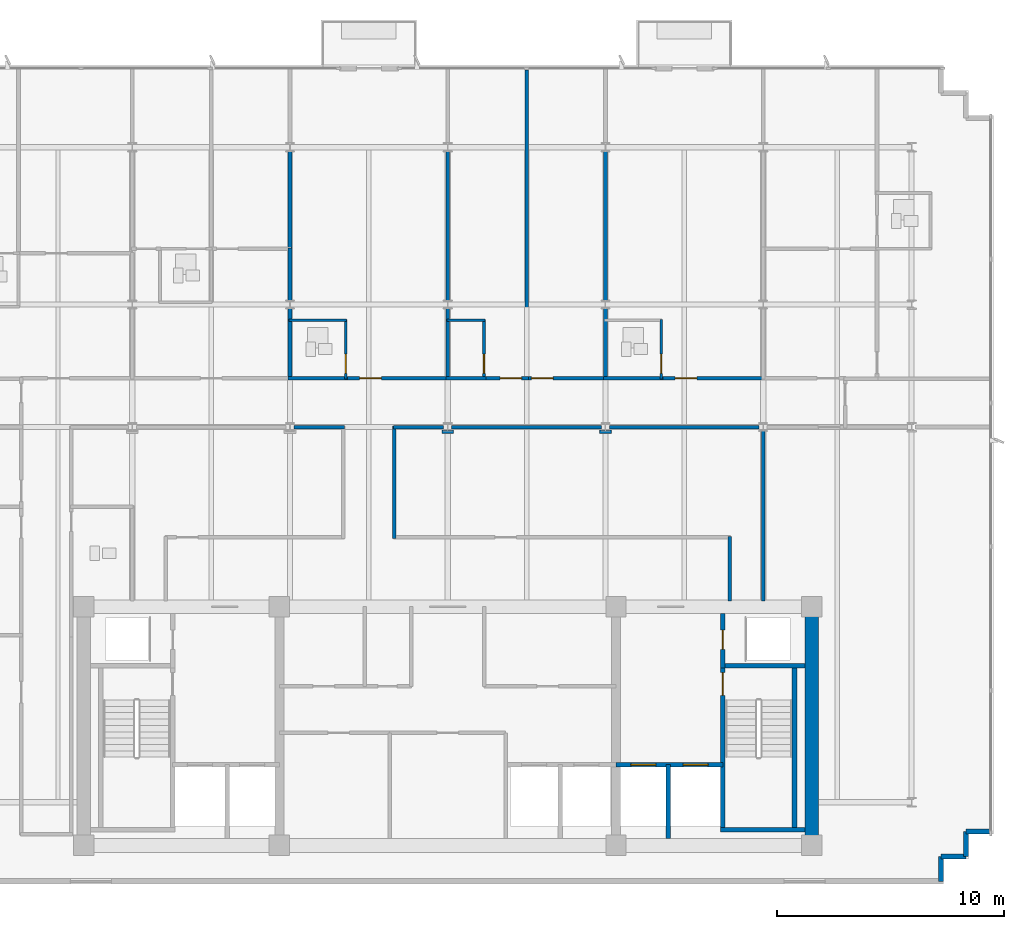
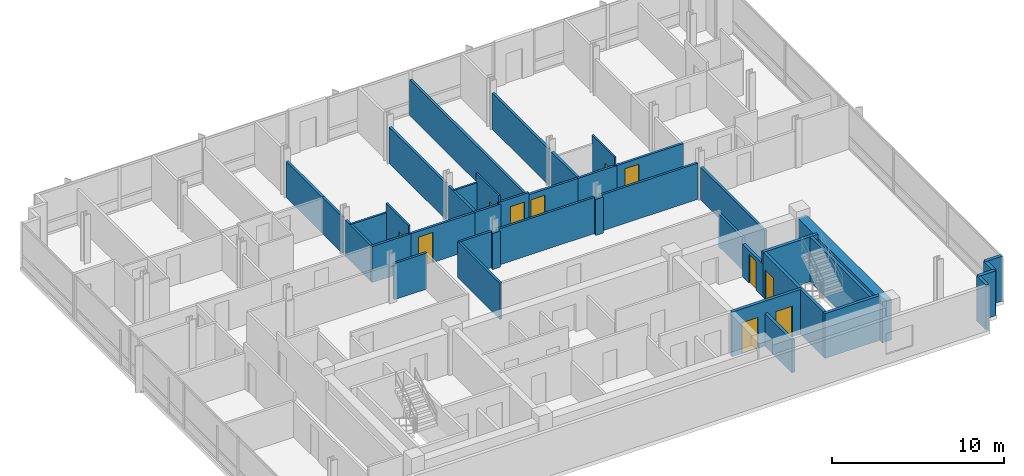
# One storey, part 10 of 14: 41 walls, 11 doors, 11 openings.
"""IFC4 building model written with IfcOpenShell, lengths in metres."""

from ifc_helpers import new_model, si_unit, direction, frame, frame_2d, origin, place, context, subcontext, project, spatial, rectangle, extrude, material, layer, layer_set, type_object, element, fill, save


model = new_model("IFC4")

# Units and contexts
model_context = context("Model", 3, precision=1e-05, world=origin(), true_north=direction((0.0, 1.0)))
body_context = subcontext(model_context, "Body", "Model", "MODEL_VIEW")
ifc_project = project(units=[si_unit("LENGTHUNIT", "METRE"), si_unit("AREAUNIT", "SQUARE_METRE"), si_unit("VOLUMEUNIT", "CUBIC_METRE"), si_unit("PLANEANGLEUNIT", "RADIAN"), si_unit("MASSUNIT", "GRAM", prefix="KILO")], contexts=[model_context])

# Site, building, storey
site_placement = place(None, origin())
site = spatial("IfcSite", under=ifc_project, at=site_placement, CompositionType="ELEMENT")
building_placement = place(site_placement, origin())
building = spatial("IfcBuilding", under=site, at=building_placement, Name="Solmavex Isthmus Hotel", CompositionType="ELEMENT")
storey_placement = place(building_placement, frame((0.0, 0.0, 255.75)))
storey = spatial("IfcBuildingStorey", under=building, at=storey_placement, Name="L69", CompositionType="ELEMENT", Elevation=255.75)

# Walls
ifc_material_1 = material(Name="Precast Concrete C40/50", Category="concrete")
ifc_layer_1 = layer(ifc_material_1, 0.25)
ifc_layer_set_1 = layer_set([ifc_layer_1], Name="Precast Concrete C40/50")
wall_type_1 = type_object("IfcWallType", Name="EW-TWR-250", PredefinedType="STANDARD", material=ifc_layer_set_1)
wall_1_placement = place(storey_placement, frame((23.889892578125, -12.389892578125, 0.0), z_axis=(0.0, 0.0, 1.0), x_axis=(-1.0, 0.0, 0.0)))
element("IfcWall", 1, at=wall_1_placement, inside=storey, type_object=wall_type_1, Name="Serrated Corner Facade Panel L69-16", PredefinedType="STANDARD", context=body_context, shape_type="SweptSolid", body=[
    extrude(rectangle(XDim=1.099853515625, YDim=0.219970703125, at=frame_2d((0.5498046875, 0.0))), origin(), (0.0, 0.0, 1.0), 3.18994140625),
])
for number, where, z_axis, x_axis, name in (
    (2, (22.7900390625, -12.389892578125, 0.0), (0.0, 0.0, 1.0), (0.0, -1.0, 0.0), "Serrated Corner Facade Panel L69-17"),
    (3, (22.7900390625, -13.489990234375, 0.0), (0.0, 0.0, 1.0), (-1.0, 0.0, 0.0), "Serrated Corner Facade Panel L69-18"),
    (4, (21.68994140625, -13.489990234375, 0.0), (0.0, 0.0, 1.0), (0.0, -1.0, 0.0), "Serrated Corner Facade Panel L69-19"),
):
    element("IfcWall", number, at=place(storey_placement, frame(where, z_axis=z_axis, x_axis=x_axis)), inside=storey, type_object=wall_type_1, Name=name, PredefinedType="STANDARD", context=body_context, shape_type="SweptSolid", body=[
        extrude(rectangle(XDim=1.10009765625, YDim=0.219970703125, at=frame_2d((0.550048828125, 0.0))), origin(), (0.0, 0.0, 1.0), 3.18994140625),
    ])
ifc_material_2 = material(Name="Gypsum plasterboard lining", Category="gypsum")
ifc_layer_2 = layer(ifc_material_2, 0.159912109375)
ifc_layer_set_2 = layer_set([ifc_layer_2], Name="Gypsum plasterboard lining")
wall_type_2 = type_object("IfcWallType", Name="IW-COMP-160", PredefinedType="PARTITIONING", material=ifc_layer_set_2)
wall_2_placement = place(storey_placement, frame((-6.93603515625, 10.613037109375, 0.0), z_axis=(0.0, 0.0, 1.0), x_axis=(0.0, -1.0, 0.0)))
element("IfcWall", 5, at=wall_2_placement, inside=storey, type_object=wall_type_2, Name="Interior Partition Wall W-L69-P055", PredefinedType="PARTITIONING", context=body_context, shape_type="SweptSolid", body=[
    extrude(rectangle(XDim=3.10302734375, YDim=0.159912109375, at=frame_2d((1.551513671875, 0.0))), origin(), (0.0, 0.0, 1.0), 2.572265625),
])
wall_3_placement = place(storey_placement, frame((-6.93603515625, 13.278076171875, 0.0), z_axis=(0.0, 0.0, 1.0), x_axis=(0.0, -1.0, 0.0)))
element("IfcWall", 6, at=wall_3_placement, inside=storey, type_object=wall_type_2, Name="Interior Partition Wall W-L69-P056", PredefinedType="PARTITIONING", context=body_context, shape_type="SweptSolid", body=[
    extrude(rectangle(XDim=2.315185546875, YDim=0.159912109375, at=frame_2d((1.15771484375, 0.0))), origin(), (0.0, 0.0, 1.0), 2.572265625),
])
wall_4_placement = place(storey_placement, frame((-6.93603515625, 17.52490234375, 0.0), z_axis=(0.0, 0.0, 1.0), x_axis=(0.0, -1.0, 0.0)))
element("IfcWall", 7, at=wall_4_placement, inside=storey, type_object=wall_type_2, Name="Interior Partition Wall W-L69-P059", PredefinedType="PARTITIONING", context=body_context, shape_type="SweptSolid", body=[
    extrude(rectangle(XDim=4.326904296875, YDim=0.159912109375, at=frame_2d((2.16357421875, 0.0))), origin(), (0.0, 0.0, 1.0), 2.572265625),
])
wall_5_placement = place(storey_placement, frame((0.0, 10.613037109375, 0.0), z_axis=(0.0, 0.0, 1.0), x_axis=(0.0, -1.0, 0.0)))
element("IfcWall", 8, at=wall_5_placement, inside=storey, type_object=wall_type_2, Name="Interior Partition Wall W-L69-P063", PredefinedType="PARTITIONING", context=body_context, shape_type="SweptSolid", body=[
    extrude(rectangle(XDim=3.10302734375, YDim=0.159912109375, at=frame_2d((1.551513671875, 0.0))), origin(), (0.0, 0.0, 1.0), 2.572265625),
])
wall_6_placement = place(storey_placement, frame((0.0, 17.52490234375, 0.0), z_axis=(0.0, 0.0, 1.0), x_axis=(0.0, -1.0, 0.0)))
element("IfcWall", 9, at=wall_6_placement, inside=storey, type_object=wall_type_2, Name="Interior Partition Wall W-L69-P064", PredefinedType="PARTITIONING", context=body_context, shape_type="SweptSolid", body=[
    extrude(rectangle(XDim=6.56201171875, YDim=0.159912109375, at=frame_2d((3.281005859375, 0.0))), origin(), (0.0, 0.0, 1.0), 2.572265625),
])
wall_7_placement = place(storey_placement, frame((3.468017578125, 21.10009765625, 0.0), z_axis=(0.0, 0.0, 1.0), x_axis=(0.0, -1.0, 0.0)))
element("IfcWall", 10, at=wall_7_placement, inside=storey, type_object=wall_type_2, Name="Interior Partition Wall W-L69-P068", PredefinedType="PARTITIONING", context=body_context, shape_type="SweptSolid", body=[
    extrude(rectangle(XDim=13.590087890625, YDim=0.159912109375, at=frame_2d((6.794921875, 0.0))), origin(), (0.0, 0.0, 1.0), 2.5576171875),
])
wall_8_placement = place(storey_placement, frame((6.93603515625, 10.613037109375, 0.0), z_axis=(0.0, 0.0, 1.0), x_axis=(0.0, -1.0, 0.0)))
element("IfcWall", 11, at=wall_8_placement, inside=storey, type_object=wall_type_2, Name="Interior Partition Wall W-L69-P069", PredefinedType="PARTITIONING", context=body_context, shape_type="SweptSolid", body=[
    extrude(rectangle(XDim=3.10302734375, YDim=0.159912109375, at=frame_2d((1.551513671875, 0.0))), origin(), (0.0, 0.0, 1.0), 2.572265625),
])
wall_9_placement = place(storey_placement, frame((6.93603515625, 17.52490234375, 0.0), z_axis=(0.0, 0.0, 1.0), x_axis=(0.0, -1.0, 0.0)))
element("IfcWall", 12, at=wall_9_placement, inside=storey, type_object=wall_type_2, Name="Interior Partition Wall W-L69-P070", PredefinedType="PARTITIONING", context=body_context, shape_type="SweptSolid", body=[
    extrude(rectangle(XDim=6.56201171875, YDim=0.159912109375, at=frame_2d((3.281005859375, 0.0))), origin(), (0.0, 0.0, 1.0), 2.572265625),
])
wall_10_placement = place(storey_placement, frame((13.8720703125, 5.22509765625, 0.0), z_axis=(0.0, 0.0, 1.0), x_axis=(0.0, -1.0, 0.0)))
element("IfcWall", 13, at=wall_10_placement, inside=storey, type_object=wall_type_2, Name="Interior Partition Wall W-L69-P095", PredefinedType="PARTITIONING", context=body_context, shape_type="SweptSolid", body=[
    extrude(rectangle(XDim=7.465087890625, YDim=0.159912109375, at=frame_2d((3.732421875, 0.0))), origin(), (0.0, 0.0, 1.0), 2.324951171875),
])

# Wall, opening, door
ifc_layer_3 = layer(ifc_material_2, 0.14990234375)
ifc_layer_set_3 = layer_set([ifc_layer_3], Name="Gypsum plasterboard lining")
wall_type_3 = type_object("IfcWallType", Name="IW-CORR-150", PredefinedType="PARTITIONING", material=ifc_layer_set_3)
wall_11_placement = place(storey_placement, frame((-4.568115234375, 7.550048828125, 0.0), z_axis=(0.0, 0.0, 1.0), x_axis=(1.0, 0.0, 0.0)))
wall_11 = element("IfcWall", 14, at=wall_11_placement, inside=storey, type_object=wall_type_3, Name="Interior Partition Wall W-L69-P003", PredefinedType="PARTITIONING", context=body_context, shape_type="SweptSolid", body=[
    extrude(rectangle(XDim=4.650146484375, YDim=0.14990234375, at=frame_2d((2.3251953125, 0.0))), origin(), (0.0, 0.0, 1.0), 2.572265625),
])
opening_1_placement = place(wall_11_placement, frame((0.698486328125, 0.0, 0.0)))
opening_1 = element("IfcOpeningElement", 15, at=opening_1_placement, cuts=wall_11, Name="Opening ID-C095", PredefinedType="OPENING", context=body_context, shape_type="SweptSolid", body=[
    extrude(rectangle(XDim=0.949951171875, YDim=2.14990234375, at=frame_2d((0.47509765625, 1.074951171875))), frame((0.0, 0.0849609375, 0.0), z_axis=(0.0, -1.0, 0.0), x_axis=(1.0, 0.0, 0.0)), (0.0, 0.0, 1.0), 0.169921875),
])
ifc_material_3 = material(Name="Hardwood timber", Category="wood")
door_type_1 = type_object("IfcDoorType", Name="IDR-FD60-0950", OperationType="NOTDEFINED", PredefinedType="DOOR", material=ifc_material_3)
door_1_placement = place(opening_1_placement, origin())
door_1 = element("IfcDoor", 16, at=door_1_placement, inside=storey, type_object=door_type_1, Name="Premier Suite Door L69-09", OperationType="SINGLE_SWING_LEFT", OverallHeight=2.14990234375, OverallWidth=0.949951171875, PredefinedType="DOOR", context=body_context, shape_type="SweptSolid", body=[
    extrude(rectangle(XDim=0.949951171875, YDim=2.14990234375, at=frame_2d((0.47509765625, 1.074951171875))), frame((0.0, 0.02490234375, 0.0), z_axis=(0.0, -1.0, 0.0), x_axis=(1.0, 0.0, 0.0)), (0.0, 0.0, 1.0), 0.050048828125),
])
fill(opening_1, door_1)

# Wall
wall_12_placement = place(storey_placement, frame((-7.01806640625, 7.550048828125, 0.0), z_axis=(0.0, 0.0, 1.0), x_axis=(1.0, 0.0, 0.0)))
element("IfcWall", 17, at=wall_12_placement, inside=storey, type_object=wall_type_3, Name="Interior Partition Wall W-L69-P004", PredefinedType="PARTITIONING", context=body_context, shape_type="SweptSolid", body=[
    extrude(rectangle(XDim=2.614013671875, YDim=0.14990234375, at=frame_2d((1.30712890625, 0.0))), origin(), (0.0, 0.0, 1.0), 2.572265625),
])

# Wall, opening, door
wall_13_placement = place(storey_placement, frame((1.51318359375, 7.550048828125, 0.0), z_axis=(0.0, 0.0, 1.0), x_axis=(1.0, 0.0, 0.0)))
wall_13 = element("IfcWall", 18, at=wall_13_placement, inside=storey, type_object=wall_type_3, Name="Interior Partition Wall W-L69-P005", PredefinedType="PARTITIONING", context=body_context, shape_type="SweptSolid", body=[
    extrude(rectangle(XDim=2.036865234375, YDim=0.14990234375, at=frame_2d((1.0185546875, 0.0))), origin(), (0.0, 0.0, 1.0), 2.718017578125),
])
opening_2_placement = place(wall_13_placement, frame((0.789794921875, 0.0, 0.0)))
opening_2 = element("IfcOpeningElement", 19, at=opening_2_placement, cuts=wall_13, Name="Opening ID-C095", PredefinedType="OPENING", context=body_context, shape_type="SweptSolid", body=[
    extrude(rectangle(XDim=0.949951171875, YDim=2.14990234375, at=frame_2d((0.47509765625, 1.074951171875))), frame((0.0, 0.0849609375, 0.0), z_axis=(0.0, -1.0, 0.0), x_axis=(1.0, 0.0, 0.0)), (0.0, 0.0, 1.0), 0.169921875),
])
door_2_placement = place(opening_2_placement, origin())
door_2 = element("IfcDoor", 20, at=door_2_placement, inside=storey, type_object=door_type_1, Name="Diplomatic Suite Door L69-11", OperationType="SINGLE_SWING_LEFT", OverallHeight=2.14990234375, OverallWidth=0.949951171875, PredefinedType="DOOR", context=body_context, shape_type="SweptSolid", body=[
    extrude(rectangle(XDim=0.949951171875, YDim=2.14990234375, at=frame_2d((0.47509765625, 1.074951171875))), frame((0.0, 0.02490234375, 0.0), z_axis=(0.0, -1.0, 0.0), x_axis=(1.0, 0.0, 0.0)), (0.0, 0.0, 1.0), 0.050048828125),
])
fill(opening_2, door_2)

# Wall
wall_14_placement = place(storey_placement, frame((-0.08203125, 7.550048828125, 0.0), z_axis=(0.0, 0.0, 1.0), x_axis=(1.0, 0.0, 0.0)))
element("IfcWall", 21, at=wall_14_placement, inside=storey, type_object=wall_type_3, Name="Interior Partition Wall W-L69-P006", PredefinedType="PARTITIONING", context=body_context, shape_type="SweptSolid", body=[
    extrude(rectangle(XDim=1.75927734375, YDim=0.14990234375, at=frame_2d((0.879638671875, 0.0))), origin(), (0.0, 0.0, 1.0), 2.572265625),
])

# Wall, opening, door
wall_15_placement = place(storey_placement, frame((3.385986328125, 7.550048828125, 0.0), z_axis=(0.0, 0.0, 1.0), x_axis=(1.0, 0.0, 0.0)))
wall_15 = element("IfcWall", 22, at=wall_15_placement, inside=storey, type_object=wall_type_3, Name="Interior Partition Wall W-L69-P007", PredefinedType="PARTITIONING", context=body_context, shape_type="SweptSolid", body=[
    extrude(rectangle(XDim=3.632080078125, YDim=0.14990234375, at=frame_2d((1.81591796875, 0.0))), origin(), (0.0, 0.0, 1.0), 2.572265625),
])
opening_3_placement = place(wall_15_placement, frame((0.296630859375, 0.0, 0.0)))
opening_3 = element("IfcOpeningElement", 23, at=opening_3_placement, cuts=wall_15, Name="Opening ID-C095", PredefinedType="OPENING", context=body_context, shape_type="SweptSolid", body=[
    extrude(rectangle(XDim=0.949951171875, YDim=2.14990234375, at=frame_2d((0.47509765625, 1.074951171875))), frame((0.0, 0.0849609375, 0.0), z_axis=(0.0, -1.0, 0.0), x_axis=(1.0, 0.0, 0.0)), (0.0, 0.0, 1.0), 0.169921875),
])
door_3_placement = place(opening_3_placement, origin())
door_3 = element("IfcDoor", 24, at=door_3_placement, inside=storey, type_object=door_type_1, Name="Hospitality Club Lounge Door L69-13", OperationType="SINGLE_SWING_LEFT", OverallHeight=2.14990234375, OverallWidth=0.949951171875, PredefinedType="DOOR", context=body_context, shape_type="SweptSolid", body=[
    extrude(rectangle(XDim=0.949951171875, YDim=2.14990234375, at=frame_2d((0.47509765625, 1.074951171875))), frame((0.0, 0.02490234375, 0.0), z_axis=(0.0, -1.0, 0.0), x_axis=(1.0, 0.0, 0.0)), (0.0, 0.0, 1.0), 0.050048828125),
])
fill(opening_3, door_3)

wall_16_placement = place(storey_placement, frame((9.303955078125, 7.550048828125, 0.0), z_axis=(0.0, 0.0, 1.0), x_axis=(1.0, 0.0, 0.0)))
wall_16 = element("IfcWall", 25, at=wall_16_placement, inside=storey, type_object=wall_type_3, Name="Interior Partition Wall W-L69-P008", PredefinedType="PARTITIONING", context=body_context, shape_type="SweptSolid", body=[
    extrude(rectangle(XDim=4.650146484375, YDim=0.14990234375, at=frame_2d((2.3251953125, 0.0))), origin(), (0.0, 0.0, 1.0), 2.572265625),
])
opening_4_placement = place(wall_16_placement, frame((0.698486328125, 0.0, 0.0)))
opening_4 = element("IfcOpeningElement", 26, at=opening_4_placement, cuts=wall_16, Name="Opening ID-C095", PredefinedType="OPENING", context=body_context, shape_type="SweptSolid", body=[
    extrude(rectangle(XDim=0.949951171875, YDim=2.14990234375, at=frame_2d((0.47509765625, 1.074951171875))), frame((0.0, 0.0849609375, 0.0), z_axis=(0.0, -1.0, 0.0), x_axis=(1.0, 0.0, 0.0)), (0.0, 0.0, 1.0), 0.169921875),
])
door_4_placement = place(opening_4_placement, origin())
door_4 = element("IfcDoor", 27, at=door_4_placement, inside=storey, type_object=door_type_1, Name="Premier Suite Door L69-14", OperationType="SINGLE_SWING_RIGHT", OverallHeight=2.14990234375, OverallWidth=0.949951171875, PredefinedType="DOOR", context=body_context, shape_type="SweptSolid", body=[
    extrude(rectangle(XDim=0.949951171875, YDim=2.14990234375, at=frame_2d((0.47509765625, 1.074951171875))), frame((0.0, 0.02490234375, 0.0), z_axis=(0.0, -1.0, 0.0), x_axis=(1.0, 0.0, 0.0)), (0.0, 0.0, 1.0), 0.050048828125),
])
fill(opening_4, door_4)

# Walls
wall_17_placement = place(storey_placement, frame((6.85400390625, 7.550048828125, 0.0), z_axis=(0.0, 0.0, 1.0), x_axis=(1.0, 0.0, 0.0)))
element("IfcWall", 28, at=wall_17_placement, inside=storey, type_object=wall_type_3, Name="Interior Partition Wall W-L69-P009", PredefinedType="PARTITIONING", context=body_context, shape_type="SweptSolid", body=[
    extrude(rectangle(XDim=2.614013671875, YDim=0.14990234375, at=frame_2d((1.30712890625, 0.0))), origin(), (0.0, 0.0, 1.0), 2.572265625),
])
wall_18_placement = place(storey_placement, frame((-4.548095703125, 5.39990234375, 0.0), z_axis=(0.0, 0.0, 1.0), x_axis=(-1.0, 0.0, 0.0)))
element("IfcWall", 29, at=wall_18_placement, inside=storey, type_object=wall_type_3, Name="Interior Partition Wall W-L69-P019", PredefinedType="PARTITIONING", context=body_context, shape_type="SweptSolid", body=[
    extrude(rectangle(XDim=2.212890625, YDim=0.14990234375, at=frame_2d((1.1064453125, 0.0))), origin(), (0.0, 0.0, 1.0), 2.572265625),
])
wall_19_placement = place(storey_placement, frame((13.697021484375, 5.39990234375, 0.0), z_axis=(0.0, 0.0, 1.0), x_axis=(-1.0, 0.0, 0.0)))
element("IfcWall", 30, at=wall_19_placement, inside=storey, type_object=wall_type_3, Name="Interior Partition Wall W-L69-P025", PredefinedType="PARTITIONING", context=body_context, shape_type="SweptSolid", body=[
    extrude(rectangle(XDim=6.5859375, YDim=0.14990234375, at=frame_2d((3.29296875, 0.0))), origin(), (0.0, 0.0, 1.0), 2.572265625),
])
wall_20_placement = place(storey_placement, frame((7.19091796875, 5.18505859375, 0.0), z_axis=(0.0, 0.0, 1.0), x_axis=(-1.0, 0.0, 0.0)))
element("IfcWall", 31, at=wall_20_placement, inside=storey, type_object=wall_type_3, Name="Interior Partition Wall W-L69-P026", PredefinedType="PARTITIONING", context=body_context, shape_type="SweptSolid", body=[
    extrude(rectangle(XDim=0.510009765625, YDim=0.14990234375, at=frame_2d((0.2548828125, 0.0))), origin(), (0.0, 0.0, 1.0), 2.572265625),
])
wall_21_placement = place(storey_placement, frame((6.760986328125, 5.39990234375, 0.0), z_axis=(0.0, 0.0, 1.0), x_axis=(-1.0, 0.0, 0.0)))
element("IfcWall", 32, at=wall_21_placement, inside=storey, type_object=wall_type_3, Name="Interior Partition Wall W-L69-P027", PredefinedType="PARTITIONING", context=body_context, shape_type="SweptSolid", body=[
    extrude(rectangle(XDim=6.5859375, YDim=0.14990234375, at=frame_2d((3.29296875, 0.0))), origin(), (0.0, 0.0, 1.0), 2.572265625),
])
wall_22_placement = place(storey_placement, frame((0.2548828125, 5.18505859375, 0.0), z_axis=(0.0, 0.0, 1.0), x_axis=(-1.0, 0.0, 0.0)))
element("IfcWall", 33, at=wall_22_placement, inside=storey, type_object=wall_type_3, Name="Interior Partition Wall W-L69-P028", PredefinedType="PARTITIONING", context=body_context, shape_type="SweptSolid", body=[
    extrude(rectangle(XDim=0.509765625, YDim=0.14990234375, at=frame_2d((0.2548828125, 0.0))), origin(), (0.0, 0.0, 1.0), 2.572265625),
])
wall_23_placement = place(storey_placement, frame((-0.175048828125, 5.39990234375, 0.0), z_axis=(0.0, 0.0, 1.0), x_axis=(-1.0, 0.0, 0.0)))
element("IfcWall", 34, at=wall_23_placement, inside=storey, type_object=wall_type_3, Name="Interior Partition Wall W-L69-P029", PredefinedType="PARTITIONING", context=body_context, shape_type="SweptSolid", body=[
    extrude(rectangle(XDim=2.212890625, YDim=0.14990234375, at=frame_2d((1.1064453125, 0.0))), origin(), (0.0, 0.0, 1.0), 2.572265625),
])
wall_24_placement = place(storey_placement, frame((-2.347900390625, 5.43994140625, 0.0), z_axis=(0.0, 0.0, 1.0), x_axis=(0.0, -1.0, 0.0)))
element("IfcWall", 35, at=wall_24_placement, inside=storey, type_object=wall_type_3, Name="Interior Partition Wall W-L69-P030", PredefinedType="PARTITIONING", context=body_context, shape_type="SweptSolid", body=[
    extrude(rectangle(XDim=4.929931640625, YDim=0.14990234375, at=frame_2d((2.46484375, 0.0))), origin(), (0.0, 0.0, 1.0), 2.572265625),
])
wall_25_placement = place(storey_placement, frame((12.39990234375, 0.590087890625, 0.0), z_axis=(0.0, 0.0, 1.0), x_axis=(0.0, -1.0, 0.0)))
element("IfcWall", 36, at=wall_25_placement, inside=storey, type_object=wall_type_3, Name="Interior Partition Wall W-L69-P032", PredefinedType="PARTITIONING", context=body_context, shape_type="SweptSolid", body=[
    extrude(rectangle(XDim=2.830078125, YDim=0.14990234375, at=frame_2d((1.4150390625, 0.0))), origin(), (0.0, 0.0, 1.0), 2.324951171875),
])

# Wall, opening, door
ifc_layer_4 = layer(ifc_material_2, 0.1201171875)
ifc_layer_set_4 = layer_set([ifc_layer_4], Name="Gypsum plasterboard lining")
wall_type_4 = type_object("IfcWallType", Name="IW-PART-120", PredefinedType="PARTITIONING", material=ifc_layer_set_4)
wall_26_placement = place(storey_placement, frame((-4.486083984375, 7.510009765625, 0.0), z_axis=(0.0, 0.0, 1.0), x_axis=(0.0, 1.0, 0.0)))
wall_26 = element("IfcWall", 37, at=wall_26_placement, inside=storey, type_object=wall_type_4, Name="Interior Partition Wall W-L69-P061", PredefinedType="PARTITIONING", context=body_context, shape_type="SweptSolid", body=[
    extrude(rectangle(XDim=2.6298828125, YDim=0.1201171875, at=frame_2d((1.31494140625, 0.0))), origin(), (0.0, 0.0, 1.0), 3.18994140625),
])
opening_5_placement = place(wall_26_placement, frame((0.247314453125, 0.0, 0.0)))
opening_5 = element("IfcOpeningElement", 38, at=opening_5_placement, cuts=wall_26, Name="Opening ID-U085", PredefinedType="OPENING", context=body_context, shape_type="SweptSolid", body=[
    extrude(rectangle(XDim=0.85009765625, YDim=2.10009765625, at=frame_2d((0.425048828125, 1.050048828125))), frame((0.0, 0.070068359375, 0.0), z_axis=(0.0, -1.0, 0.0), x_axis=(1.0, 0.0, 0.0)), (0.0, 0.0, 1.0), 0.14013671875),
])
door_type_2 = type_object("IfcDoorType", Name="IDR-UNR-0850", OperationType="NOTDEFINED", PredefinedType="DOOR", material=ifc_material_3)
door_5_placement = place(opening_5_placement, frame((0.85009765625, 0.0, 0.0), z_axis=(0.0, 0.0, 1.0), x_axis=(-1.0, 0.0, 0.0)))
door_5 = element("IfcDoor", 39, at=door_5_placement, inside=storey, type_object=door_type_2, Name="En-suite Bathroom Door L69-10", OperationType="SINGLE_SWING_RIGHT", OverallHeight=2.10009765625, OverallWidth=0.85009765625, PredefinedType="DOOR", context=body_context, shape_type="SweptSolid", body=[
    extrude(rectangle(XDim=0.85009765625, YDim=2.10009765625, at=frame_2d((0.425048828125, 1.050048828125))), frame((0.0, 0.02490234375, 0.0), z_axis=(0.0, -1.0, 0.0), x_axis=(1.0, 0.0, 0.0)), (0.0, 0.0, 1.0), 0.050048828125),
])
fill(opening_5, door_5)

# Wall
wall_27_placement = place(storey_placement, frame((-4.446044921875, 10.10009765625, 0.0), z_axis=(0.0, 0.0, 1.0), x_axis=(-1.0, 0.0, 0.0)))
element("IfcWall", 40, at=wall_27_placement, inside=storey, type_object=wall_type_4, Name="Interior Partition Wall W-L69-P062", PredefinedType="PARTITIONING", context=body_context, shape_type="SweptSolid", body=[
    extrude(rectangle(XDim=2.530029296875, YDim=0.1201171875, at=frame_2d((1.26513671875, 0.0))), origin(), (0.0, 0.0, 1.0), 2.572265625),
])

# Wall, opening, door
wall_28_placement = place(storey_placement, frame((1.59521484375, 7.510009765625, 0.0), z_axis=(0.0, 0.0, 1.0), x_axis=(0.0, 1.0, 0.0)))
wall_28 = element("IfcWall", 41, at=wall_28_placement, inside=storey, type_object=wall_type_4, Name="Interior Partition Wall W-L69-P066", PredefinedType="PARTITIONING", context=body_context, shape_type="SweptSolid", body=[
    extrude(rectangle(XDim=2.6298828125, YDim=0.1201171875, at=frame_2d((1.31494140625, 0.0))), origin(), (0.0, 0.0, 1.0), 3.18994140625),
])
opening_6_placement = place(wall_28_placement, frame((0.247314453125, 0.0, 0.0)))
opening_6 = element("IfcOpeningElement", 42, at=opening_6_placement, cuts=wall_28, Name="Opening ID-U085", PredefinedType="OPENING", context=body_context, shape_type="SweptSolid", body=[
    extrude(rectangle(XDim=0.85009765625, YDim=2.10009765625, at=frame_2d((0.425048828125, 1.050048828125))), frame((0.0, 0.070068359375, 0.0), z_axis=(0.0, -1.0, 0.0), x_axis=(1.0, 0.0, 0.0)), (0.0, 0.0, 1.0), 0.14013671875),
])
door_6_placement = place(opening_6_placement, frame((0.85009765625, 0.0, 0.0), z_axis=(0.0, 0.0, 1.0), x_axis=(-1.0, 0.0, 0.0)))
door_6 = element("IfcDoor", 43, at=door_6_placement, inside=storey, type_object=door_type_2, Name="En-suite Bathroom Door L69-12", OperationType="SINGLE_SWING_RIGHT", OverallHeight=2.10009765625, OverallWidth=0.85009765625, PredefinedType="DOOR", context=body_context, shape_type="SweptSolid", body=[
    extrude(rectangle(XDim=0.85009765625, YDim=2.10009765625, at=frame_2d((0.425048828125, 1.050048828125))), frame((0.0, 0.02490234375, 0.0), z_axis=(0.0, -1.0, 0.0), x_axis=(1.0, 0.0, 0.0)), (0.0, 0.0, 1.0), 0.050048828125),
])
fill(opening_6, door_6)

# Wall
wall_29_placement = place(storey_placement, frame((1.63525390625, 10.10009765625, 0.0), z_axis=(0.0, 0.0, 1.0), x_axis=(-1.0, 0.0, 0.0)))
element("IfcWall", 44, at=wall_29_placement, inside=storey, type_object=wall_type_4, Name="Interior Partition Wall W-L69-P067", PredefinedType="PARTITIONING", context=body_context, shape_type="SweptSolid", body=[
    extrude(rectangle(XDim=1.67529296875, YDim=0.1201171875, at=frame_2d((0.837646484375, 0.0))), origin(), (0.0, 0.0, 1.0), 2.572265625),
])

# Wall, opening, door
wall_30_placement = place(storey_placement, frame((9.385986328125, 7.510009765625, 0.0), z_axis=(0.0, 0.0, 1.0), x_axis=(0.0, 1.0, 0.0)))
wall_30 = element("IfcWall", 45, at=wall_30_placement, inside=storey, type_object=wall_type_4, Name="Interior Partition Wall W-L69-P072", PredefinedType="PARTITIONING", context=body_context, shape_type="SweptSolid", body=[
    extrude(rectangle(XDim=2.6298828125, YDim=0.1201171875, at=frame_2d((1.31494140625, 0.0))), origin(), (0.0, 0.0, 1.0), 3.18994140625),
])
opening_7_placement = place(wall_30_placement, frame((0.247314453125, 0.0, 0.0)))
opening_7 = element("IfcOpeningElement", 46, at=opening_7_placement, cuts=wall_30, Name="Opening ID-U085", PredefinedType="OPENING", context=body_context, shape_type="SweptSolid", body=[
    extrude(rectangle(XDim=0.85009765625, YDim=2.10009765625, at=frame_2d((0.425048828125, 1.050048828125))), frame((0.0, 0.070068359375, 0.0), z_axis=(0.0, -1.0, 0.0), x_axis=(1.0, 0.0, 0.0)), (0.0, 0.0, 1.0), 0.14013671875),
])
door_7_placement = place(opening_7_placement, frame((0.85009765625, 0.0, 0.0), z_axis=(0.0, 0.0, 1.0), x_axis=(-1.0, 0.0, 0.0)))
door_7 = element("IfcDoor", 47, at=door_7_placement, inside=storey, type_object=door_type_2, Name="En-suite Bathroom Door L69-15", OperationType="SINGLE_SWING_LEFT", OverallHeight=2.10009765625, OverallWidth=0.85009765625, PredefinedType="DOOR", context=body_context, shape_type="SweptSolid", body=[
    extrude(rectangle(XDim=0.85009765625, YDim=2.10009765625, at=frame_2d((0.425048828125, 1.050048828125))), frame((0.0, 0.02490234375, 0.0), z_axis=(0.0, -1.0, 0.0), x_axis=(1.0, 0.0, 0.0)), (0.0, 0.0, 1.0), 0.050048828125),
])
fill(opening_7, door_7)

ifc_material_4 = material(Name="Concrete C40/50", Category="concrete")
ifc_layer_5 = layer(ifc_material_4, 0.199951171875)
ifc_layer_set_5 = layer_set([ifc_layer_5], Name="Concrete C40/50")
wall_type_5 = type_object("IfcWallType", Name="IW-SHAFT-200", PredefinedType="PARTITIONING", material=ifc_layer_set_5)
wall_31_placement = place(storey_placement, frame((12.10009765625, -5.199951171875, 0.0), z_axis=(0.0, 0.0, 1.0), x_axis=(0.0, 1.0, 0.0)))
wall_31 = element("IfcWall", 48, at=wall_31_placement, inside=storey, type_object=wall_type_5, Name="Interior Partition Wall W-L69-RSE-W", PredefinedType="PARTITIONING", context=body_context, shape_type="SweptSolid", body=[
    extrude(rectangle(XDim=2.39990234375, YDim=0.199951171875, at=frame_2d((1.199951171875, 0.0))), origin(), (0.0, 0.0, 1.0), 2.324951171875),
])
opening_8_placement = place(wall_31_placement, frame((0.824951171875, 0.0, 0.0)))
opening_8 = element("IfcOpeningElement", 49, at=opening_8_placement, cuts=wall_31, Name="Opening ID-R085", PredefinedType="OPENING", context=body_context, shape_type="SweptSolid", body=[
    extrude(rectangle(XDim=0.85009765625, YDim=2.050048828125, at=frame_2d((0.425048828125, 1.02490234375))), frame((0.0, 0.10986328125, 0.0), z_axis=(0.0, -1.0, 0.0), x_axis=(1.0, 0.0, 0.0)), (0.0, 0.0, 1.0), 0.219970703125),
])
ifc_material_5 = material(Name="Steel ASTM A500 Grade C", Category="steel")
door_type_3 = type_object("IfcDoorType", Name="IDR-FD60-0850", OperationType="NOTDEFINED", PredefinedType="DOOR", material=ifc_material_5)
door_8_placement = place(opening_8_placement, frame((0.85009765625, 0.0, 0.0), z_axis=(0.0, 0.0, 1.0), x_axis=(-1.0, 0.0, 0.0)))
door_8 = element("IfcDoor", 50, at=door_8_placement, inside=storey, type_object=door_type_3, Name="Mechanical Riser Door L69", OperationType="SINGLE_SWING_LEFT", OverallHeight=2.050048828125, OverallWidth=0.85009765625, PredefinedType="DOOR", context=body_context, shape_type="SweptSolid", body=[
    extrude(rectangle(XDim=0.85009765625, YDim=2.050048828125, at=frame_2d((0.425048828125, 1.02490234375))), frame((0.0, 0.02490234375, 0.0), z_axis=(0.0, -1.0, 0.0), x_axis=(1.0, 0.0, 0.0)), (0.0, 0.0, 1.0), 0.050048828125),
])
fill(opening_8, door_8)

# Wall, openings, doors
wall_32_placement = place(storey_placement, frame((7.39990234375, -9.449951171875, 0.0), z_axis=(0.0, 0.0, 1.0), x_axis=(1.0, 0.0, 0.0)))
wall_32 = element("IfcWall", 51, at=wall_32_placement, inside=storey, type_object=wall_type_5, Name="Interior Partition Wall W-L69-FFLE-S", PredefinedType="PARTITIONING", context=body_context, shape_type="SweptSolid", body=[
    extrude(rectangle(XDim=4.7001953125, YDim=0.199951171875, at=frame_2d((2.35009765625, 0.0))), origin(), (0.0, 0.0, 1.0), 3.18994140625),
])
opening_9_placement = place(wall_32_placement, frame((2.949951171875, 0.0, 0.0)))
opening_9 = element("IfcOpeningElement", 52, at=opening_9_placement, cuts=wall_32, Name="Opening LD-FF", PredefinedType="OPENING", context=body_context, shape_type="SweptSolid", body=[
    extrude(rectangle(XDim=1.10009765625, YDim=2.199951171875, at=frame_2d((0.550048828125, 1.10009765625))), frame((0.0, 0.10986328125, 0.0), z_axis=(0.0, -1.0, 0.0), x_axis=(1.0, 0.0, 0.0)), (0.0, 0.0, 1.0), 0.219970703125),
])
opening_10_placement = place(wall_32_placement, frame((0.64990234375, 0.0, 0.0)))
opening_10 = element("IfcOpeningElement", 53, at=opening_10_placement, cuts=wall_32, Name="Opening LD-SV", PredefinedType="OPENING", context=body_context, shape_type="SweptSolid", body=[
    extrude(rectangle(XDim=1.10009765625, YDim=2.199951171875, at=frame_2d((0.550048828125, 1.10009765625))), frame((0.0, 0.10986328125, 0.0), z_axis=(0.0, -1.0, 0.0), x_axis=(1.0, 0.0, 0.0)), (0.0, 0.0, 1.0), 0.219970703125),
])
ifc_material_6 = material(Name="Stainless steel 316", Category="steel")
door_type_4 = type_object("IfcDoorType", Name="LDR-FF-1100", OperationType="NOTDEFINED", PredefinedType="DOOR", material=ifc_material_6)
door_9_placement = place(opening_9_placement, origin())
door_9 = element("IfcDoor", 54, at=door_9_placement, inside=storey, type_object=door_type_4, Name="Lift Landing Door FFL-2 L69", OperationType="SLIDING_TO_LEFT", OverallHeight=2.199951171875, OverallWidth=1.10009765625, PredefinedType="DOOR", context=body_context, shape_type="SweptSolid", body=[
    extrude(rectangle(XDim=1.10009765625, YDim=2.199951171875, at=frame_2d((0.550048828125, 1.10009765625))), frame((0.0, 0.02490234375, 0.0), z_axis=(0.0, -1.0, 0.0), x_axis=(1.0, 0.0, 0.0)), (0.0, 0.0, 1.0), 0.050048828125),
])
fill(opening_9, door_9)
door_type_5 = type_object("IfcDoorType", Name="LDR-SV-1100", OperationType="NOTDEFINED", PredefinedType="DOOR", material=ifc_material_6)
door_10_placement = place(opening_10_placement, origin())
door_10 = element("IfcDoor", 55, at=door_10_placement, inside=storey, type_object=door_type_5, Name="Lift Landing Door SVL-2 L69", OperationType="SLIDING_TO_RIGHT", OverallHeight=2.199951171875, OverallWidth=1.10009765625, PredefinedType="DOOR", context=body_context, shape_type="SweptSolid", body=[
    extrude(rectangle(XDim=1.10009765625, YDim=2.199951171875, at=frame_2d((0.550048828125, 1.10009765625))), frame((0.0, 0.02490234375, 0.0), z_axis=(0.0, -1.0, 0.0), x_axis=(1.0, 0.0, 0.0)), (0.0, 0.0, 1.0), 0.050048828125),
])
fill(opening_10, door_10)

# Walls
wall_33_placement = place(storey_placement, frame((9.699951171875, -12.699951171875, 0.0), z_axis=(0.0, 0.0, 1.0), x_axis=(0.0, 1.0, 0.0)))
element("IfcWall", 56, at=wall_33_placement, inside=storey, type_object=wall_type_5, Name="Interior Partition Wall W-L69-FFLE-M", PredefinedType="PARTITIONING", context=body_context, shape_type="SweptSolid", body=[
    extrude(rectangle(XDim=3.25, YDim=0.199951171875, at=frame_2d((1.625, 0.0))), origin(), (0.0, 0.0, 1.0), 2.324951171875),
])
ifc_material_7 = material(Name="Concrete C50/60", Category="concrete")
ifc_layer_6 = layer(ifc_material_7, 0.60009765625)
ifc_layer_set_6 = layer_set([ifc_layer_6], Name="Concrete C50/60")
wall_type_6 = type_object("IfcWallType", Name="WALL-CW-600", PredefinedType="SHEAR", material=ifc_layer_set_6)
wall_34_placement = place(storey_placement, frame((16.0, -12.699951171875, 0.0), z_axis=(0.0, 0.0, 1.0), x_axis=(0.0, 1.0, 0.0)))
element("IfcWall", 57, at=wall_34_placement, inside=storey, type_object=wall_type_6, Name="Core Shear Wall East L69", PredefinedType="SHEAR", context=body_context, shape_type="SweptSolid", body=[
    extrude(rectangle(XDim=9.89990234375, YDim=0.60009765625, at=frame_2d((4.949951171875, 0.0))), origin(), (0.0, 0.0, 1.0), 2.909912109375),
])
ifc_layer_7 = layer(ifc_material_4, 0.199951171875)
ifc_layer_set_7 = layer_set([ifc_layer_7], Name="Concrete C40/50")
wall_type_7 = type_object("IfcWallType", Name="WALL-SW-200", PredefinedType="SOLIDWALL", material=ifc_layer_set_7)
for number, where, z_axis, x_axis, name in (
    (58, (12.0, -12.300048828125, 0.0), (0.0, 0.0, 1.0), (1.0, 0.0, 0.0), "Stairwell Structural Wall SW-L69-ST2-S"),
    (59, (12.0, -5.10009765625, 0.0), (0.0, 0.0, 1.0), (1.0, 0.0, 0.0), "Stairwell Structural Wall SW-L69-ST2-N"),
):
    element("IfcWall", number, at=place(storey_placement, frame(where, z_axis=z_axis, x_axis=x_axis)), inside=storey, type_object=wall_type_7, Name=name, PredefinedType="SOLIDWALL", context=body_context, shape_type="SweptSolid", body=[
        extrude(rectangle(XDim=3.699951171875, YDim=0.199951171875, at=frame_2d((1.85009765625, 0.0))), origin(), (0.0, 0.0, 1.0), 3.18994140625),
    ])

# Wall, opening, door
wall_35_placement = place(storey_placement, frame((12.10009765625, -12.199951171875, 0.0), z_axis=(0.0, 0.0, 1.0), x_axis=(0.0, 1.0, 0.0)))
wall_35 = element("IfcWall", 60, at=wall_35_placement, inside=storey, type_object=wall_type_7, Name="Stairwell Structural Wall SW-L69-ST2-W", PredefinedType="SOLIDWALL", context=body_context, shape_type="SweptSolid", body=[
    extrude(rectangle(XDim=7.0, YDim=0.199951171875, at=frame_2d((3.5, 0.0))), origin(), (0.0, 0.0, 1.0), 3.18994140625),
])
opening_11_placement = place(wall_35_placement, frame((5.800048828125, 0.0, 0.0)))
opening_11 = element("IfcOpeningElement", 61, at=opening_11_placement, cuts=wall_35, Name="Opening ID-F100", PredefinedType="OPENING", context=body_context, shape_type="SweptSolid", body=[
    extrude(rectangle(XDim=1.0, YDim=2.10009765625, at=frame_2d((0.5, 1.050048828125))), frame((0.0, 0.10986328125, 0.0), z_axis=(0.0, -1.0, 0.0), x_axis=(1.0, 0.0, 0.0)), (0.0, 0.0, 1.0), 0.219970703125),
])
door_type_6 = type_object("IfcDoorType", Name="IDR-FD90-1000", OperationType="NOTDEFINED", PredefinedType="DOOR", material=ifc_material_5)
door_11_placement = place(opening_11_placement, origin())
door_11 = element("IfcDoor", 62, at=door_11_placement, inside=storey, type_object=door_type_6, Name="Stair ST-2 Fire Door L69", OperationType="SINGLE_SWING_RIGHT", OverallHeight=2.10009765625, OverallWidth=1.0, PredefinedType="DOOR", context=body_context, shape_type="SweptSolid", body=[
    extrude(rectangle(XDim=1.0, YDim=2.10009765625, at=frame_2d((0.5, 1.050048828125))), frame((0.0, 0.02490234375, 0.0), z_axis=(0.0, -1.0, 0.0), x_axis=(1.0, 0.0, 0.0)), (0.0, 0.0, 1.0), 0.050048828125),
])
fill(opening_11, door_11)

# Wall
wall_36_placement = place(storey_placement, frame((15.25, -12.199951171875, 0.0), z_axis=(0.0, 0.0, 1.0), x_axis=(0.0, 1.0, 0.0)))
element("IfcWall", 63, at=wall_36_placement, inside=storey, type_object=wall_type_7, Name="Stairwell Structural Wall SW-L69-ST2-E", PredefinedType="SOLIDWALL", context=body_context, shape_type="SweptSolid", body=[
    extrude(rectangle(XDim=7.0, YDim=0.199951171875, at=frame_2d((3.5, 0.0))), origin(), (0.0, 0.0, 1.0), 3.18994140625),
])

save(model, "model.ifc")
